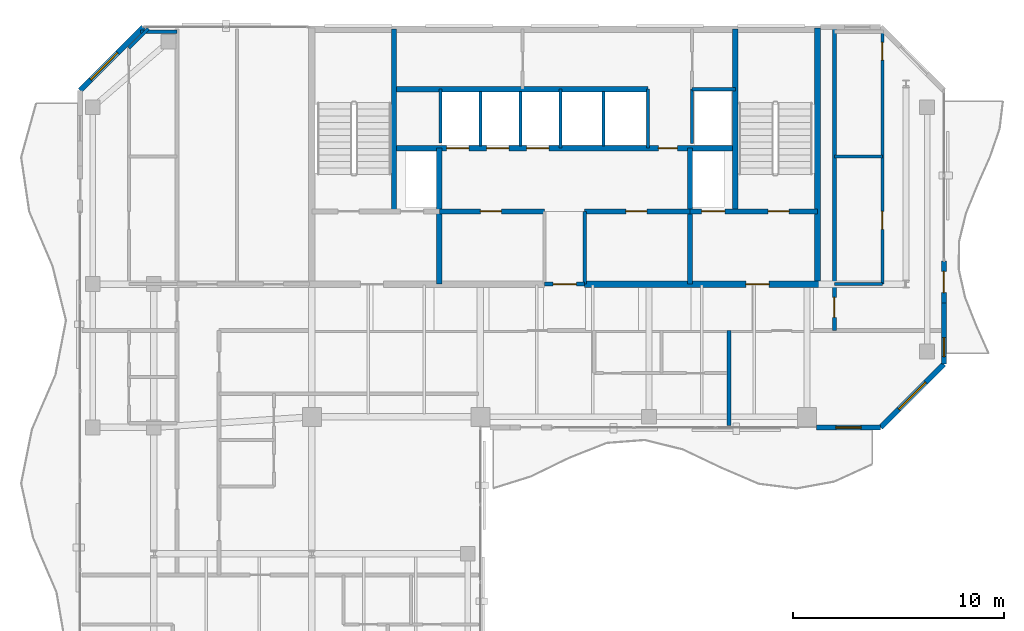
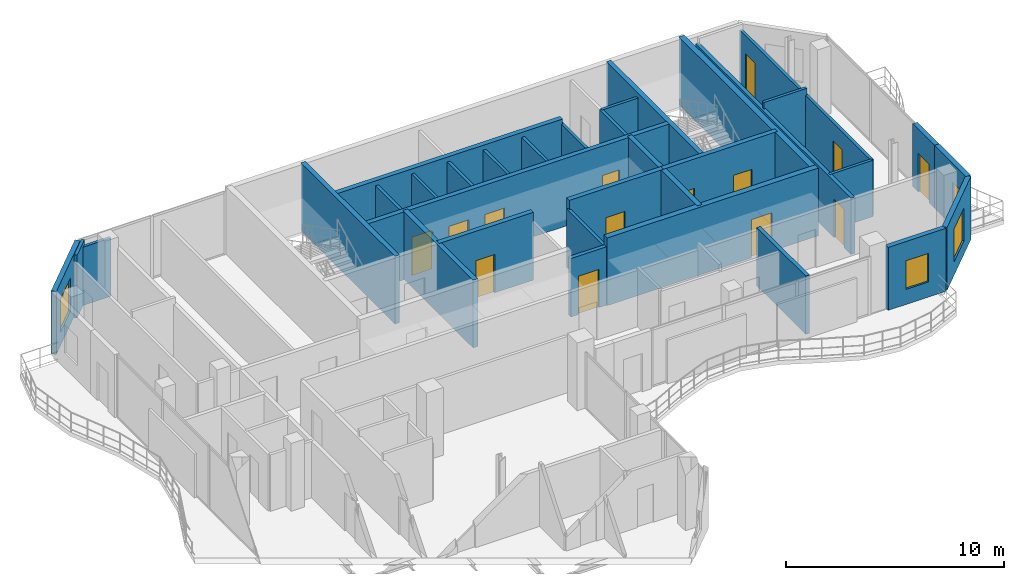
# One storey, part 19 of 23: 33 walls, 14 doors, 4 windows, 18 openings.
"""IFC4 building model written with IfcOpenShell, lengths in metres."""

import ifcopenshell
import ifcopenshell.guid

model = None  # the IFC model being written
_history = None  # IfcOwnerHistory: only IFC2X3 demands one
_inside = {}  # id of a spatial element -> (the spatial element, [elements in it])
_under = {}  # id of a project, library or spatial element -> (it, [spatial elements below it])
_declared = {}  # id of a project -> (the project, [libraries it declares])
_typed = {}  # id of a type object -> (the type object, [elements of that type])
_made_of = {}  # id of a material, layer set ... -> (it, [elements and type objects made of it])


def new_model(schema):
    """Start an empty IFC model of exactly this schema.

    Asked for "IFC4X3", IfcOpenShell would pick the latest addendum, in which some entities
    have other attributes; the version numbers below select the first issue.
    IFC2X3 requires an IfcOwnerHistory on every rooted entity: one is made here for all.
    """
    global model, _history
    if schema == "IFC4X3":
        model = ifcopenshell.file(schema_version=(4, 3, 0, 0))
    else:
        model = ifcopenshell.file(schema=schema)
    _inside.clear()
    _under.clear()
    _declared.clear()
    _typed.clear()
    _made_of.clear()
    _history = None
    if model.schema == "IFC2X3":
        org = make("IfcOrganization", Name="unknown")
        user = make(
            "IfcPersonAndOrganization",
            ThePerson=make("IfcPerson", FamilyName="unknown"),
            TheOrganization=org,
        )
        app = make(
            "IfcApplication",
            ApplicationDeveloper=org,
            Version="unknown",
            ApplicationFullName="unknown",
            ApplicationIdentifier="unknown",
        )
        _history = make(
            "IfcOwnerHistory",
            OwningUser=user,
            OwningApplication=app,
            ChangeAction="ADDED",
            CreationDate=0,
        )
    return model


def make(cls, **values):
    """One entity of the class cls with the attributes given. An attribute that is None is left unset."""
    return model.create_entity(
        cls, **{name: value for name, value in values.items() if value is not None}
    )


def rooted(cls, **values):
    """An entity with a GlobalId (a new one), such as an element, a storey or a relation."""
    return make(cls, GlobalId=ifcopenshell.guid.new(), OwnerHistory=_history, **values)


def si_unit(unit_type, name, prefix=None):
    """IfcSIUnit, for example si_unit("LENGTHUNIT", "METRE", prefix="MILLI")."""
    return make("IfcSIUnit", UnitType=unit_type, Prefix=prefix, Name=name)


def assignment(units):
    """IfcUnitAssignment: the units of a project."""
    return None if units is None else make("IfcUnitAssignment", Units=units)


def point(xyz):
    """IfcCartesianPoint."""
    return None if xyz is None else make("IfcCartesianPoint", Coordinates=xyz)


def direction(xyz):
    """IfcDirection."""
    return None if xyz is None else make("IfcDirection", DirectionRatios=xyz)


def frame(location, z_axis=None, x_axis=None):
    """IfcAxis2Placement3D, a coordinate frame: its origin and axes. An axis left out is left unset."""
    return make(
        "IfcAxis2Placement3D",
        Location=point(location),
        Axis=direction(z_axis),
        RefDirection=direction(x_axis),
    )


def frame_2d(location, x_axis=None):
    """IfcAxis2Placement2D, a coordinate frame in the plane: its origin and x axis."""
    return make(
        "IfcAxis2Placement2D", Location=point(location), RefDirection=direction(x_axis)
    )


def origin():
    """The frame at (0, 0, 0) with its axes left unset."""
    return frame((0.0, 0.0, 0.0))


def place(relative_to, where):
    """IfcLocalPlacement: puts the frame where relative to a parent placement (None: the world)."""
    return make(
        "IfcLocalPlacement", PlacementRelTo=relative_to, RelativePlacement=where
    )


def context(
    kind, dimensions, precision=None, world=None, true_north=None, identifier=None
):
    """IfcGeometricRepresentationContext, for example the 3D "Model" context."""
    return make(
        "IfcGeometricRepresentationContext",
        ContextIdentifier=identifier,
        ContextType=kind,
        CoordinateSpaceDimension=dimensions,
        Precision=precision,
        WorldCoordinateSystem=world,
        TrueNorth=true_north,
    )


def subcontext(parent, identifier, kind, view, scale=None):
    """IfcGeometricRepresentationSubContext, for example "Body" below "Model"."""
    return make(
        "IfcGeometricRepresentationSubContext",
        ContextIdentifier=identifier,
        ContextType=kind,
        ParentContext=parent,
        TargetScale=scale,
        TargetView=view,
    )


def project(units=None, contexts=None):
    """IfcProject with its units and contexts."""
    return rooted(
        "IfcProject",
        Name="project",
        RepresentationContexts=contexts,
        UnitsInContext=assignment(units),
    )


def spatial(cls, under=None, at=None, **own):
    """A site, building, storey or space (cls), placed at a placement, below another one or the project."""
    s = rooted(cls, ObjectPlacement=at, **own)
    if under is not None:
        _under.setdefault(under.id(), (under, []))[1].append(s)
    return s


def profile(cls, at=None, kind="AREA", **sizes):
    """A parametric profile (cls). Its sizes go by their IFC names, for example OverallWidth=200.0."""
    return make(cls, ProfileType=kind, Position=at, **sizes)


def rectangle(**sizes):
    """IfcRectangleProfileDef."""
    return profile("IfcRectangleProfileDef", **sizes)


def extrude(swept, where, along, depth):
    """IfcExtrudedAreaSolid: the profile swept, set in the frame where, extruded along a direction by depth."""
    return make(
        "IfcExtrudedAreaSolid",
        SweptArea=swept,
        Position=where,
        ExtrudedDirection=direction(along),
        Depth=depth,
    )


def shape(context_of_items, identifier, shape_type, items):
    """IfcShapeRepresentation: the items that make up one representation, for example the "Body"."""
    return make(
        "IfcShapeRepresentation",
        ContextOfItems=context_of_items,
        RepresentationIdentifier=identifier,
        RepresentationType=shape_type,
        Items=items,
    )


def material(Name=None, Category=None):
    """IfcMaterial."""
    return make("IfcMaterial", Name=Name, Category=Category)


def layer(
    of_material, thickness, ventilated=None, Name=None, Category=None, Priority=None
):
    """IfcMaterialLayer: one layer of a wall or slab, of a material (None: an air gap)."""
    return make(
        "IfcMaterialLayer",
        Material=of_material,
        LayerThickness=thickness,
        IsVentilated=ventilated,
        Name=Name,
        Category=Category,
        Priority=Priority,
    )


def layer_set(layers, Name=None):
    """IfcMaterialLayerSet."""
    return make("IfcMaterialLayerSet", MaterialLayers=layers, LayerSetName=Name)


def made_of(thing, what):
    """Note that an element or type object is made of a material, layer set ...; save() writes the relation."""
    if what is not None:
        _made_of.setdefault(what.id(), (what, []))[1].append(thing)
    return thing


def type_object(cls, material=None, **own):
    """A type object (cls), such as IfcWallType, which elements share."""
    return made_of(rooted(cls, **own), material)


def element(
    cls,
    number,
    at=None,
    inside=None,
    cuts=None,
    type_object=None,
    material=None,
    context=None,
    identifier="Body",
    shape_type=None,
    held_by="IfcProductDefinitionShape",
    body=None,
    shapes=None,
    **own,
):
    """One element of the class cls, such as IfcWall. Its Tag is "e" and its number.

    at: its placement. inside: the storey or other place that contains it. cuts: it is an
    opening in that element (IfcRelVoidsElement). A single representation is given by context,
    identifier, shape_type and body (its items); several are given by shapes. held_by: the class
    of the entity that holds the representations. save() writes the other relations.
    """
    e = rooted(cls, Tag="e%d" % number, ObjectPlacement=at, **own)
    if body is not None:
        shapes = [shape(context, identifier, shape_type, body)]
    if shapes is not None:
        e.Representation = make(held_by, Representations=shapes)
    if inside is not None:
        _inside.setdefault(inside.id(), (inside, []))[1].append(e)
    if cuts is not None:
        rooted(
            "IfcRelVoidsElement", RelatingBuildingElement=cuts, RelatedOpeningElement=e
        )
    if type_object is not None:
        _typed.setdefault(type_object.id(), (type_object, []))[1].append(e)
    return made_of(e, material)


def fill(opening, filler):
    """IfcRelFillsElement: the door or window that sits in an opening."""
    return rooted(
        "IfcRelFillsElement",
        RelatingOpeningElement=opening,
        RelatedBuildingElement=filler,
    )


def aggregate(whole, parts):
    """IfcRelAggregates: a whole, such as a stair, and the parts it consists of."""
    return rooted("IfcRelAggregates", RelatingObject=whole, RelatedObjects=parts)


def save(model, path):
    """Write the relations noted so far, then the file.

    IfcRelAggregates (storeys below a building ...), IfcRelContainedInSpatialStructure (elements
    in a storey), IfcRelDefinesByType, IfcRelAssociatesMaterial and IfcRelDeclares: one each for
    every whole, place, type object, material and project.
    """
    for whole, parts in _under.values():
        aggregate(whole, parts)
    for where, things in _inside.values():
        rooted(
            "IfcRelContainedInSpatialStructure",
            RelatedElements=things,
            RelatingStructure=where,
        )
    for kind, things in _typed.values():
        rooted("IfcRelDefinesByType", RelatedObjects=things, RelatingType=kind)
    for what, things in _made_of.values():
        rooted("IfcRelAssociatesMaterial", RelatedObjects=things, RelatingMaterial=what)
    for by, libraries in _declared.values():
        rooted("IfcRelDeclares", RelatingContext=by, RelatedDefinitions=libraries)
    model.write(path)


model = new_model("IFC4")

# Units and contexts
model_context = context("Model", 3, precision=1e-05, world=origin(), true_north=direction((0.0, 1.0)))
body_context = subcontext(model_context, "Body", "Model", "MODEL_VIEW")
ifc_project = project(units=[si_unit("LENGTHUNIT", "METRE"), si_unit("AREAUNIT", "SQUARE_METRE"), si_unit("VOLUMEUNIT", "CUBIC_METRE"), si_unit("PLANEANGLEUNIT", "RADIAN"), si_unit("MASSUNIT", "GRAM", prefix="KILO")], contexts=[model_context])

# Site, building, storey
site_placement = place(None, origin())
site = spatial("IfcSite", under=ifc_project, at=site_placement, CompositionType="ELEMENT")
building_placement = place(site_placement, origin())
building = spatial("IfcBuilding", under=site, at=building_placement, Name="Catumbela Crestline Tower", CompositionType="ELEMENT")
storey_placement = place(building_placement, frame((0.0, 0.0, 248.8)))
storey = spatial("IfcBuildingStorey", under=building, at=storey_placement, Name="L64", CompositionType="ELEMENT", Elevation=248.8)

# Walls
ifc_material_1 = material(Name="Concrete C50/60", Category="concrete")
ifc_layer_1 = layer(ifc_material_1, 0.25, Name="Concrete C50/60")
ifc_layer_set_1 = layer_set([ifc_layer_1], Name="Concrete C50/60")
wall_type_1 = type_object("IfcWallType", Name="CW-250D", PredefinedType="SHEAR", material=ifc_layer_set_1)
for number, where, z_axis, x_axis, name in (
    (1, (19.9, 34.25, 0.0), (0.0, 0.0, 1.0), (0.0, 1.0, 0.0), "L64 Structural Core Shear Wall WWEB"),
    (2, (36.1, 34.25, 0.0), (0.0, 0.0, 1.0), (0.0, 1.0, 0.0), "L64 Structural Core Shear Wall EWEB"),
):
    element("IfcWall", number, at=place(storey_placement, frame(where, z_axis=z_axis, x_axis=x_axis)), inside=storey, type_object=wall_type_1, Name=name, PredefinedType="SHEAR", context=body_context, shape_type="SweptSolid", body=[
        extrude(rectangle(XDim=8.65, YDim=0.25, at=frame_2d((4.325, 0.0))), origin(), (0.0, 0.0, 1.0), 3.8),
    ])
for number, where, z_axis, x_axis, name in (
    (3, (22.05, 30.8, 0.0), (0.0, 0.0, 1.0), (0.0, 1.0, 0.0), "L64 Structural Core Shear Wall FFW"),
    (4, (33.95, 30.8, 0.0), (0.0, 0.0, 1.0), (0.0, 1.0, 0.0), "L64 Structural Core Shear Wall FFE"),
):
    element("IfcWall", number, at=place(storey_placement, frame(where, z_axis=z_axis, x_axis=x_axis)), inside=storey, type_object=wall_type_1, Name=name, PredefinedType="SHEAR", context=body_context, shape_type="SweptSolid", body=[
        extrude(rectangle(XDim=6.45, YDim=0.25, at=frame_2d((3.225, 0.0))), origin(), (0.0, 0.0, 1.0), 3.8),
    ])

# Wall, openings, doors
wall_1_placement = place(storey_placement, frame((33.95, 34.25, 0.0), z_axis=(0.0, 0.0, 1.0), x_axis=(1.0, 0.0, 0.0)))
wall_1 = element("IfcWall", 5, at=wall_1_placement, inside=storey, type_object=wall_type_1, Name="L64 Structural Core Shear Wall ST2S", PredefinedType="SHEAR", context=body_context, shape_type="SweptSolid", body=[
    extrude(rectangle(XDim=6.05, YDim=0.25, at=frame_2d((3.025, 0.0))), origin(), (0.0, 0.0, 1.0), 3.8),
])
opening_1_placement = place(wall_1_placement, frame((3.7, 0.0, 0.0)))
opening_1 = element("IfcOpeningElement", 6, at=opening_1_placement, cuts=wall_1, Name="Opening DF9-100", PredefinedType="OPENING", context=body_context, shape_type="SweptSolid", body=[
    extrude(rectangle(XDim=1.0, YDim=2.15, at=frame_2d((0.5, 1.075))), frame((0.0, 0.135, 0.0), z_axis=(0.0, -1.0, 0.0), x_axis=(1.0, 0.0, 0.0)), (0.0, 0.0, 1.0), 0.27),
])
opening_2_placement = place(wall_1_placement, frame((0.55, 0.0, 0.0)))
opening_2 = element("IfcOpeningElement", 7, at=opening_2_placement, cuts=wall_1, Name="Opening LD-110", PredefinedType="OPENING", context=body_context, shape_type="SweptSolid", body=[
    extrude(rectangle(XDim=1.1, YDim=2.15, at=frame_2d((0.55, 1.075))), frame((0.0, 0.135, 0.0), z_axis=(0.0, -1.0, 0.0), x_axis=(1.0, 0.0, 0.0)), (0.0, 0.0, 1.0), 0.27),
])
ifc_material_2 = material(Name="Stainless steel EN 1.4401", Category="steel")
door_type_1 = type_object("IfcDoorType", Name="DF9-100", OperationType="NOTDEFINED", PredefinedType="DOOR", material=ifc_material_2)
door_1_placement = place(opening_1_placement, origin())
door_1 = element("IfcDoor", 8, at=door_1_placement, inside=storey, type_object=door_type_1, Name="L64 Interior Door DR-L64-ST02", OperationType="SINGLE_SWING_RIGHT", OverallHeight=2.15, OverallWidth=1.0, PredefinedType="DOOR", context=body_context, shape_type="SweptSolid", body=[
    extrude(rectangle(XDim=1.0, YDim=2.15, at=frame_2d((0.5, 1.075))), frame((0.0, 0.025, 0.0), z_axis=(0.0, -1.0, 0.0), x_axis=(1.0, 0.0, 0.0)), (0.0, 0.0, 1.0), 0.05),
])
fill(opening_1, door_1)
door_type_2 = type_object("IfcDoorType", Name="LD-110", OperationType="NOTDEFINED", PredefinedType="DOOR", material=ifc_material_2)
door_2_placement = place(opening_2_placement, origin())
door_2 = element("IfcDoor", 9, at=door_2_placement, inside=storey, type_object=door_type_2, Name="L64 Lift Landing Sliding Door FL-02", OperationType="DOUBLE_DOOR_SLIDING", OverallHeight=2.15, OverallWidth=1.1, PredefinedType="DOOR", context=body_context, shape_type="SweptSolid", body=[
    extrude(rectangle(XDim=1.1, YDim=2.15, at=frame_2d((0.55, 1.075))), frame((0.0, 0.025, 0.0), z_axis=(0.0, -1.0, 0.0), x_axis=(1.0, 0.0, 0.0)), (0.0, 0.0, 1.0), 0.05),
])
fill(opening_2, door_2)

# Wall, opening, door
wall_2_placement = place(storey_placement, frame((22.05, 34.25, 0.0), z_axis=(0.0, 0.0, 1.0), x_axis=(1.0, 0.0, 0.0)))
wall_2 = element("IfcWall", 10, at=wall_2_placement, inside=storey, type_object=wall_type_1, Name="L64 Structural Core Shear Wall LIFTS-W", PredefinedType="SHEAR", context=body_context, shape_type="SweptSolid", body=[
    extrude(rectangle(XDim=5.0, YDim=0.25, at=frame_2d((2.5, 0.0))), origin(), (0.0, 0.0, 1.0), 3.8),
])
opening_3_placement = place(wall_2_placement, frame((1.95, 0.0, 0.0)))
opening_3 = element("IfcOpeningElement", 11, at=opening_3_placement, cuts=wall_2, Name="Opening DF9-100", PredefinedType="OPENING", context=body_context, shape_type="SweptSolid", body=[
    extrude(rectangle(XDim=1.0, YDim=2.15, at=frame_2d((0.5, 1.075))), frame((0.0, 0.135, 0.0), z_axis=(0.0, -1.0, 0.0), x_axis=(1.0, 0.0, 0.0)), (0.0, 0.0, 1.0), 0.27),
])
door_3_placement = place(opening_3_placement, origin())
door_3 = element("IfcDoor", 12, at=door_3_placement, inside=storey, type_object=door_type_1, Name="L64 Interior Door DR-L64-RECL1", OperationType="SINGLE_SWING_LEFT", OverallHeight=2.15, OverallWidth=1.0, PredefinedType="DOOR", context=body_context, shape_type="SweptSolid", body=[
    extrude(rectangle(XDim=1.0, YDim=2.15, at=frame_2d((0.5, 1.075))), frame((0.0, 0.025, 0.0), z_axis=(0.0, -1.0, 0.0), x_axis=(1.0, 0.0, 0.0)), (0.0, 0.0, 1.0), 0.05),
])
fill(opening_3, door_3)

wall_3_placement = place(storey_placement, frame((28.95, 34.25, 0.0), z_axis=(0.0, 0.0, 1.0), x_axis=(1.0, 0.0, 0.0)))
wall_3 = element("IfcWall", 13, at=wall_3_placement, inside=storey, type_object=wall_type_1, Name="L64 Structural Core Shear Wall LIFTS-E", PredefinedType="SHEAR", context=body_context, shape_type="SweptSolid", body=[
    extrude(rectangle(XDim=5.0, YDim=0.25, at=frame_2d((2.5, 0.0))), origin(), (0.0, 0.0, 1.0), 3.8),
])
opening_4_placement = place(wall_3_placement, frame((1.95, 0.0, 0.0)))
opening_4 = element("IfcOpeningElement", 14, at=opening_4_placement, cuts=wall_3, Name="Opening DF9-100", PredefinedType="OPENING", context=body_context, shape_type="SweptSolid", body=[
    extrude(rectangle(XDim=1.0, YDim=2.15, at=frame_2d((0.5, 1.075))), frame((0.0, 0.135, 0.0), z_axis=(0.0, -1.0, 0.0), x_axis=(1.0, 0.0, 0.0)), (0.0, 0.0, 1.0), 0.27),
])
door_4_placement = place(opening_4_placement, origin())
door_4 = element("IfcDoor", 15, at=door_4_placement, inside=storey, type_object=door_type_1, Name="L64 Interior Door DR-L64-RECL2", OperationType="SINGLE_SWING_RIGHT", OverallHeight=2.15, OverallWidth=1.0, PredefinedType="DOOR", context=body_context, shape_type="SweptSolid", body=[
    extrude(rectangle(XDim=1.0, YDim=2.15, at=frame_2d((0.5, 1.075))), frame((0.0, 0.025, 0.0), z_axis=(0.0, -1.0, 0.0), x_axis=(1.0, 0.0, 0.0)), (0.0, 0.0, 1.0), 0.05),
])
fill(opening_4, door_4)

# Wall, openings, doors
wall_4_placement = place(storey_placement, frame((19.9, 37.25, 0.0), z_axis=(0.0, 0.0, 1.0), x_axis=(1.0, 0.0, 0.0)))
wall_4 = element("IfcWall", 16, at=wall_4_placement, inside=storey, type_object=wall_type_1, Name="L64 Structural Core Shear Wall LIFTN", PredefinedType="SHEAR", context=body_context, shape_type="SweptSolid", body=[
    extrude(rectangle(XDim=16.2, YDim=0.25, at=frame_2d((8.1, 0.0))), origin(), (0.0, 0.0, 1.0), 3.8),
])
opening_5_placement = place(wall_4_placement, frame((12.55, 0.0, 0.0)))
opening_5 = element("IfcOpeningElement", 17, at=opening_5_placement, cuts=wall_4, Name="Opening DF9-090", PredefinedType="OPENING", context=body_context, shape_type="SweptSolid", body=[
    extrude(rectangle(XDim=0.9, YDim=2.15, at=frame_2d((0.45, 1.075))), frame((0.0, 0.135, 0.0), z_axis=(0.0, -1.0, 0.0), x_axis=(1.0, 0.0, 0.0)), (0.0, 0.0, 1.0), 0.27),
])
opening_6_placement = place(wall_4_placement, frame((2.5, 0.0, 0.0)))
opening_6 = element("IfcOpeningElement", 18, at=opening_6_placement, cuts=wall_4, Name="Opening LD-105", PredefinedType="OPENING", context=body_context, shape_type="SweptSolid", body=[
    extrude(rectangle(XDim=1.05, YDim=2.15, at=frame_2d((0.525, 1.075))), frame((0.0, 0.135, 0.0), z_axis=(0.0, -1.0, 0.0), x_axis=(1.0, 0.0, 0.0)), (0.0, 0.0, 1.0), 0.27),
])
opening_7_placement = place(wall_4_placement, frame((4.4, 0.0, 0.0)))
opening_7 = element("IfcOpeningElement", 19, at=opening_7_placement, cuts=wall_4, Name="Opening LD-105", PredefinedType="OPENING", context=body_context, shape_type="SweptSolid", body=[
    extrude(rectangle(XDim=1.05, YDim=2.15, at=frame_2d((0.525, 1.075))), frame((0.0, 0.135, 0.0), z_axis=(0.0, -1.0, 0.0), x_axis=(1.0, 0.0, 0.0)), (0.0, 0.0, 1.0), 0.27),
])
opening_8_placement = place(wall_4_placement, frame((6.3, 0.0, 0.0)))
opening_8 = element("IfcOpeningElement", 20, at=opening_8_placement, cuts=wall_4, Name="Opening LD-105", PredefinedType="OPENING", context=body_context, shape_type="SweptSolid", body=[
    extrude(rectangle(XDim=1.05, YDim=2.15, at=frame_2d((0.525, 1.075))), frame((0.0, 0.135, 0.0), z_axis=(0.0, -1.0, 0.0), x_axis=(1.0, 0.0, 0.0)), (0.0, 0.0, 1.0), 0.27),
])
door_type_3 = type_object("IfcDoorType", Name="DF9-090", OperationType="NOTDEFINED", PredefinedType="DOOR", material=ifc_material_2)
door_5_placement = place(opening_5_placement, origin())
door_5 = element("IfcDoor", 21, at=door_5_placement, inside=storey, type_object=door_type_3, Name="L64 Interior Door DR-L64-CPAS1", OperationType="SINGLE_SWING_LEFT", OverallHeight=2.15, OverallWidth=0.9, PredefinedType="DOOR", context=body_context, shape_type="SweptSolid", body=[
    extrude(rectangle(XDim=0.9, YDim=2.15, at=frame_2d((0.45, 1.075))), frame((0.0, 0.025, 0.0), z_axis=(0.0, -1.0, 0.0), x_axis=(1.0, 0.0, 0.0)), (0.0, 0.0, 1.0), 0.05),
])
fill(opening_5, door_5)
door_type_4 = type_object("IfcDoorType", Name="LD-105", OperationType="NOTDEFINED", PredefinedType="DOOR", material=ifc_material_2)
door_6_placement = place(opening_6_placement, origin())
door_6 = element("IfcDoor", 22, at=door_6_placement, inside=storey, type_object=door_type_4, Name="L64 Lift Landing Sliding Door PL-H1", OperationType="DOUBLE_DOOR_SLIDING", OverallHeight=2.15, OverallWidth=1.05, PredefinedType="DOOR", context=body_context, shape_type="SweptSolid", body=[
    extrude(rectangle(XDim=1.05, YDim=2.15, at=frame_2d((0.525, 1.075))), frame((0.0, 0.025, 0.0), z_axis=(0.0, -1.0, 0.0), x_axis=(1.0, 0.0, 0.0)), (0.0, 0.0, 1.0), 0.05),
])
fill(opening_6, door_6)
door_7_placement = place(opening_7_placement, origin())
door_7 = element("IfcDoor", 23, at=door_7_placement, inside=storey, type_object=door_type_4, Name="L64 Lift Landing Sliding Door PL-H2", OperationType="DOUBLE_DOOR_SLIDING", OverallHeight=2.15, OverallWidth=1.05, PredefinedType="DOOR", context=body_context, shape_type="SweptSolid", body=[
    extrude(rectangle(XDim=1.05, YDim=2.15, at=frame_2d((0.525, 1.075))), frame((0.0, 0.025, 0.0), z_axis=(0.0, -1.0, 0.0), x_axis=(1.0, 0.0, 0.0)), (0.0, 0.0, 1.0), 0.05),
])
fill(opening_7, door_7)
door_8_placement = place(opening_8_placement, origin())
door_8 = element("IfcDoor", 24, at=door_8_placement, inside=storey, type_object=door_type_4, Name="L64 Lift Landing Sliding Door PL-H3", OperationType="DOUBLE_DOOR_SLIDING", OverallHeight=2.15, OverallWidth=1.05, PredefinedType="DOOR", context=body_context, shape_type="SweptSolid", body=[
    extrude(rectangle(XDim=1.05, YDim=2.15, at=frame_2d((0.525, 1.075))), frame((0.0, 0.025, 0.0), z_axis=(0.0, -1.0, 0.0), x_axis=(1.0, 0.0, 0.0)), (0.0, 0.0, 1.0), 0.05),
])
fill(opening_8, door_8)

# Walls
wall_5_placement = place(storey_placement, frame((19.9, 40.05, 0.0), z_axis=(0.0, 0.0, 1.0), x_axis=(1.0, 0.0, 0.0)))
element("IfcWall", 25, at=wall_5_placement, inside=storey, type_object=wall_type_1, Name="L64 Structural Core Shear Wall COREN", PredefinedType="SHEAR", context=body_context, shape_type="SweptSolid", body=[
    extrude(rectangle(XDim=12.05, YDim=0.25, at=frame_2d((6.025, 0.0))), origin(), (0.0, 0.0, 1.0), 3.8),
])
ifc_material_3 = material(Name="Concrete C45/55", Category="concrete")
ifc_layer_2 = layer(ifc_material_3, 0.3, Name="Concrete C45/55")
ifc_layer_set_2 = layer_set([ifc_layer_2], Name="Concrete C45/55")
wall_type_2 = type_object("IfcWallType", Name="CW-300C", PredefinedType="SHEAR", material=ifc_layer_set_2)
wall_6_placement = place(storey_placement, frame((40.0, 30.65, 0.0), z_axis=(0.0, 0.0, 1.0), x_axis=(0.0, 1.0, 0.0)))
element("IfcWall", 26, at=wall_6_placement, inside=storey, type_object=wall_type_2, Name="L64 Structural Core Shear Wall E", PredefinedType="SHEAR", context=body_context, shape_type="SweptSolid", body=[
    extrude(rectangle(XDim=12.3, YDim=0.3, at=frame_2d((6.15, 0.0))), origin(), (0.0, 0.0, 1.0), 3.8),
])

# Wall, opening, door
wall_7_placement = place(storey_placement, frame((28.95, 30.8, 0.0), z_axis=(0.0, 0.0, 1.0), x_axis=(1.0, 0.0, 0.0)))
wall_7 = element("IfcWall", 27, at=wall_7_placement, inside=storey, type_object=wall_type_2, Name="L64 Structural Core Shear Wall SE", PredefinedType="SHEAR", context=body_context, shape_type="SweptSolid", body=[
    extrude(rectangle(XDim=11.2, YDim=0.3, at=frame_2d((5.6, 0.0))), origin(), (0.0, 0.0, 1.0), 3.8),
])
opening_9_placement = place(wall_7_placement, frame((7.65, 0.0, 0.0)))
opening_9 = element("IfcOpeningElement", 28, at=opening_9_placement, cuts=wall_7, Name="Opening DF9-110", PredefinedType="OPENING", context=body_context, shape_type="SweptSolid", body=[
    extrude(rectangle(XDim=1.1, YDim=2.15, at=frame_2d((0.55, 1.075))), frame((0.0, 0.16, 0.0), z_axis=(0.0, -1.0, 0.0), x_axis=(1.0, 0.0, 0.0)), (0.0, 0.0, 1.0), 0.32),
])
door_type_5 = type_object("IfcDoorType", Name="DF9-110", OperationType="NOTDEFINED", PredefinedType="DOOR", material=ifc_material_2)
door_9_placement = place(opening_9_placement, origin())
door_9 = element("IfcDoor", 29, at=door_9_placement, inside=storey, type_object=door_type_5, Name="L64 Interior Door DR-L64-FFE-S", OperationType="SINGLE_SWING_RIGHT", OverallHeight=2.15, OverallWidth=1.1, PredefinedType="DOOR", context=body_context, shape_type="SweptSolid", body=[
    extrude(rectangle(XDim=1.1, YDim=2.15, at=frame_2d((0.55, 1.075))), frame((0.0, 0.025, 0.0), z_axis=(0.0, -1.0, 0.0), x_axis=(1.0, 0.0, 0.0)), (0.0, 0.0, 1.0), 0.05),
])
fill(opening_9, door_9)

ifc_material_4 = material(Name="Acoustic gypsum and mineral-wool partition")
ifc_layer_3 = layer(ifc_material_4, 0.2, Name="Acoustic gypsum and mineral-wool partition")
ifc_layer_set_3 = layer_set([ifc_layer_3], Name="Acoustic gypsum and mineral-wool partition")
wall_type_3 = type_object("IfcWallType", Name="WC-200", PredefinedType="PARTITIONING", material=ifc_layer_set_3)
wall_8_placement = place(storey_placement, frame((27.05, 30.8, 0.0), z_axis=(0.0, 0.0, 1.0), x_axis=(1.0, 0.0, 0.0)))
wall_8 = element("IfcWall", 30, at=wall_8_placement, inside=storey, type_object=wall_type_3, Name="L64 Interior Partition PW-L64-CLOBS", PredefinedType="PARTITIONING", context=body_context, shape_type="SweptSolid", body=[
    extrude(rectangle(XDim=1.9, YDim=0.2, at=frame_2d((0.95, 0.0))), origin(), (0.0, 0.0, 1.0), 3.28),
])
opening_10_placement = place(wall_8_placement, frame((0.4, 0.0, 0.0)))
opening_10 = element("IfcOpeningElement", 31, at=opening_10_placement, cuts=wall_8, Name="Opening DF9-110", PredefinedType="OPENING", context=body_context, shape_type="SweptSolid", body=[
    extrude(rectangle(XDim=1.1, YDim=2.15, at=frame_2d((0.55, 1.075))), frame((0.0, 0.11, 0.0), z_axis=(0.0, -1.0, 0.0), x_axis=(1.0, 0.0, 0.0)), (0.0, 0.0, 1.0), 0.22),
])
door_10_placement = place(opening_10_placement, origin())
door_10 = element("IfcDoor", 32, at=door_10_placement, inside=storey, type_object=door_type_5, Name="L64 Interior Door DR-L64-CLOBS", OperationType="SINGLE_SWING_LEFT", OverallHeight=2.15, OverallWidth=1.1, PredefinedType="DOOR", context=body_context, shape_type="SweptSolid", body=[
    extrude(rectangle(XDim=1.1, YDim=2.15, at=frame_2d((0.55, 1.075))), frame((0.0, 0.025, 0.0), z_axis=(0.0, -1.0, 0.0), x_axis=(1.0, 0.0, 0.0)), (0.0, 0.0, 1.0), 0.05),
])
fill(opening_10, door_10)

wall_9_placement = place(storey_placement, frame((40.8, 28.6, 0.0), z_axis=(0.0, 0.0, 1.0), x_axis=(0.0, 1.0, 0.0)))
wall_9 = element("IfcWall", 33, at=wall_9_placement, inside=storey, type_object=wall_type_3, Name="L64 Interior Partition PW-L64-NE1-ENT", PredefinedType="PARTITIONING", context=body_context, shape_type="SweptSolid", body=[
    extrude(rectangle(XDim=14.3, YDim=0.2, at=frame_2d((7.15, 0.0))), origin(), (0.0, 0.0, 1.0), 3.16),
])
opening_11_placement = place(wall_9_placement, frame((0.625, 0.0, 0.0)))
opening_11 = element("IfcOpeningElement", 34, at=opening_11_placement, cuts=wall_9, Name="Opening DF6-095", PredefinedType="OPENING", context=body_context, shape_type="SweptSolid", body=[
    extrude(rectangle(XDim=0.95, YDim=2.15, at=frame_2d((0.475, 1.075))), frame((0.0, 0.11, 0.0), z_axis=(0.0, -1.0, 0.0), x_axis=(1.0, 0.0, 0.0)), (0.0, 0.0, 1.0), 0.22),
])
ifc_material_5 = material(Name="Aluminium alloy AW-6060-T66", Category="aluminium")
door_type_6 = type_object("IfcDoorType", Name="DF6-095", OperationType="NOTDEFINED", PredefinedType="DOOR", material=ifc_material_5)
door_11_placement = place(opening_11_placement, origin())
door_11 = element("IfcDoor", 35, at=door_11_placement, inside=storey, type_object=door_type_6, Name="L64 Interior Door DR-L64-NE1-ENT", OperationType="SINGLE_SWING_LEFT", OverallHeight=2.15, OverallWidth=0.95, PredefinedType="DOOR", context=body_context, shape_type="SweptSolid", body=[
    extrude(rectangle(XDim=0.95, YDim=2.15, at=frame_2d((0.475, 1.075))), frame((0.0, 0.025, 0.0), z_axis=(0.0, -1.0, 0.0), x_axis=(1.0, 0.0, 0.0)), (0.0, 0.0, 1.0), 0.05),
])
fill(opening_11, door_11)

# Wall, opening, window
ifc_material_6 = material(Name="Angolan grey-ochre granite", Category="masonry")
ifc_layer_4 = layer(ifc_material_6, 0.25, Name="Angolan grey-ochre granite")
ifc_layer_set_4 = layer_set([ifc_layer_4], Name="Angolan grey-ochre granite")
wall_type_4 = type_object("IfcWallType", Name="WE-250", PredefinedType="STANDARD", material=ifc_layer_set_4)
wall_10_placement = place(storey_placement, frame((39.95, 24.0, 0.0), z_axis=(0.0, 0.0, 1.0), x_axis=(1.0, 0.0, 0.0)))
wall_10 = element("IfcWall", 36, at=wall_10_placement, inside=storey, type_object=wall_type_4, Name="L64 Granite Punched Window Wall 3-3", PredefinedType="STANDARD", context=body_context, shape_type="SweptSolid", body=[
    extrude(rectangle(XDim=3.05, YDim=0.25, at=frame_2d((1.525, 0.0))), origin(), (0.0, 0.0, 1.0), 3.53),
])
opening_12_placement = place(wall_10_placement, frame((0.925, 0.0, 0.85)))
opening_12 = element("IfcOpeningElement", 37, at=opening_12_placement, cuts=wall_10, Name="Opening WN-02", PredefinedType="OPENING", context=body_context, shape_type="SweptSolid", body=[
    extrude(rectangle(XDim=1.2, YDim=1.6, at=frame_2d((0.6, 0.8))), frame((0.0, 0.135, 0.0), z_axis=(0.0, -1.0, 0.0), x_axis=(1.0, 0.0, 0.0)), (0.0, 0.0, 1.0), 0.27),
])
ifc_material_7 = material(Name="Low-E laminated solar-control double glazing", Category="glass")
window_type_1 = type_object("IfcWindowType", Name="WO-1200", PartitioningType="SINGLE_PANEL", PredefinedType="WINDOW", material=ifc_material_7)
window_1_placement = place(opening_12_placement, origin())
window_1 = element("IfcWindow", 38, at=window_1_placement, inside=storey, type_object=window_type_1, Name="L64 Facade Vision Window 482", OverallHeight=1.6, OverallWidth=1.2, PartitioningType="SINGLE_PANEL", PredefinedType="WINDOW", context=body_context, shape_type="SweptSolid", body=[
    extrude(rectangle(XDim=1.2, YDim=1.6, at=frame_2d((0.6, 0.8))), frame((0.0, 0.03, 0.0), z_axis=(0.0, -1.0, 0.0), x_axis=(1.0, 0.0, 0.0)), (0.0, 0.0, 1.0), 0.06),
])
fill(opening_12, window_1)

wall_11_placement = place(storey_placement, frame((43.0, 24.0, 0.0), z_axis=(0.0, 0.0, 1.0), x_axis=(0.707106781187, 0.707106781187, 0.0)))
wall_11 = element("IfcWall", 39, at=wall_11_placement, inside=storey, type_object=wall_type_4, Name="L64 Granite Punched Window Wall 4-1", PredefinedType="STANDARD", context=body_context, shape_type="SweptSolid", body=[
    extrude(rectangle(XDim=4.2426, YDim=0.25, at=frame_2d((2.1213, 0.0))), origin(), (0.0, 0.0, 1.0), 3.53),
])
opening_13_placement = place(wall_11_placement, frame((1.2213, 0.0, 0.75)))
opening_13 = element("IfcOpeningElement", 40, at=opening_13_placement, cuts=wall_11, Name="Opening WN-01", PredefinedType="OPENING", context=body_context, shape_type="SweptSolid", body=[
    extrude(rectangle(XDim=1.8, YDim=1.85, at=frame_2d((0.9, 0.925))), frame((0.0, 0.135, 0.0), z_axis=(0.0, -1.0, 0.0), x_axis=(1.0, 0.0, 0.0)), (0.0, 0.0, 1.0), 0.27),
])
window_type_2 = type_object("IfcWindowType", Name="WF-1800", PartitioningType="SINGLE_PANEL", PredefinedType="WINDOW", material=ifc_material_7)
window_2_placement = place(opening_13_placement, origin())
window_2 = element("IfcWindow", 41, at=window_2_placement, inside=storey, type_object=window_type_2, Name="L64 Facade Vision Window 483", OverallHeight=1.85, OverallWidth=1.8, PartitioningType="SINGLE_PANEL", PredefinedType="WINDOW", context=body_context, shape_type="SweptSolid", body=[
    extrude(rectangle(XDim=1.8, YDim=1.85, at=frame_2d((0.9, 0.925))), frame((0.0, 0.03, 0.0), z_axis=(0.0, -1.0, 0.0), x_axis=(1.0, 0.0, 0.0)), (0.0, 0.0, 1.0), 0.06),
])
fill(opening_13, window_2)

# Wall, opening, door
wall_12_placement = place(storey_placement, frame((46.0, 29.9, 0.0), z_axis=(0.0, 0.0, 1.0), x_axis=(0.0, 1.0, 0.0)))
wall_12 = element("IfcWall", 42, at=wall_12_placement, inside=storey, type_object=wall_type_4, Name="L64 Exterior Threshold Portal Wall DR-L64-WBAL-2", PredefinedType="STANDARD", context=body_context, shape_type="SweptSolid", body=[
    extrude(rectangle(XDim=2.0, YDim=0.25, at=frame_2d((1.0, 0.0))), origin(), (0.0, 0.0, 1.0), 3.53),
])
opening_14_placement = place(wall_12_placement, frame((0.5, 0.0, 0.0)))
opening_14 = element("IfcOpeningElement", 43, at=opening_14_placement, cuts=wall_12, Name="Opening DB-L64-2", PredefinedType="OPENING", context=body_context, shape_type="SweptSolid", body=[
    extrude(rectangle(XDim=1.0, YDim=2.15, at=frame_2d((0.5, 1.075))), frame((0.0, 0.135, 0.0), z_axis=(0.0, -1.0, 0.0), x_axis=(1.0, 0.0, 0.0)), (0.0, 0.0, 1.0), 0.27),
])
door_type_7 = type_object("IfcDoorType", Name="DB-1000", OperationType="NOTDEFINED", PredefinedType="DOOR", material=ifc_material_5)
door_12_placement = place(opening_14_placement, origin())
door_12 = element("IfcDoor", 44, at=door_12_placement, inside=storey, type_object=door_type_7, Name="L64 Wave Balcony Terrace Door 2", OperationType="SINGLE_SWING_LEFT", OverallHeight=2.15, OverallWidth=1.0, PredefinedType="DOOR", context=body_context, shape_type="SweptSolid", body=[
    extrude(rectangle(XDim=1.0, YDim=2.15, at=frame_2d((0.5, 1.075))), frame((0.0, 0.025, 0.0), z_axis=(0.0, -1.0, 0.0), x_axis=(1.0, 0.0, 0.0)), (0.0, 0.0, 1.0), 0.05),
])
fill(opening_14, door_12)

# Wall, opening, window
wall_13_placement = place(storey_placement, frame((46.0, 27.0, 0.0), z_axis=(0.0, 0.0, 1.0), x_axis=(0.0, 1.0, 0.0)))
wall_13 = element("IfcWall", 45, at=wall_13_placement, inside=storey, type_object=wall_type_4, Name="L64 Granite Punched Window Wall 5-1", PredefinedType="STANDARD", context=body_context, shape_type="SweptSolid", body=[
    extrude(rectangle(XDim=2.9, YDim=0.25, at=frame_2d((1.45, 0.0))), origin(), (0.0, 0.0, 1.0), 3.53),
])
opening_15_placement = place(wall_13_placement, frame((0.36, 0.0, 0.9)))
opening_15 = element("IfcOpeningElement", 46, at=opening_15_placement, cuts=wall_13, Name="Opening WN-03", PredefinedType="OPENING", context=body_context, shape_type="SweptSolid", body=[
    extrude(rectangle(XDim=0.9, YDim=1.55, at=frame_2d((0.45, 0.775))), frame((0.0, 0.135, 0.0), z_axis=(0.0, -1.0, 0.0), x_axis=(1.0, 0.0, 0.0)), (0.0, 0.0, 1.0), 0.27),
])
window_type_3 = type_object("IfcWindowType", Name="WO-0900", PartitioningType="SINGLE_PANEL", PredefinedType="WINDOW", material=ifc_material_7)
window_3_placement = place(opening_15_placement, origin())
window_3 = element("IfcWindow", 47, at=window_3_placement, inside=storey, type_object=window_type_3, Name="L64 Facade Vision Window 484", OverallHeight=1.55, OverallWidth=0.9, PartitioningType="SINGLE_PANEL", PredefinedType="WINDOW", context=body_context, shape_type="SweptSolid", body=[
    extrude(rectangle(XDim=0.9, YDim=1.55, at=frame_2d((0.45, 0.775))), frame((0.0, 0.03, 0.0), z_axis=(0.0, -1.0, 0.0), x_axis=(1.0, 0.0, 0.0)), (0.0, 0.0, 1.0), 0.06),
])
fill(opening_15, window_3)

wall_14_placement = place(storey_placement, frame((8.0, 43.0, 0.0), z_axis=(0.0, 0.0, 1.0), x_axis=(-0.707106781187, -0.707106781187, 0.0)))
wall_14 = element("IfcWall", 48, at=wall_14_placement, inside=storey, type_object=wall_type_4, Name="L64 Granite Punched Window Wall 8-1", PredefinedType="STANDARD", context=body_context, shape_type="SweptSolid", body=[
    extrude(rectangle(XDim=4.2426, YDim=0.25, at=frame_2d((2.1213, 0.0))), origin(), (0.0, 0.0, 1.0), 3.53),
])
opening_16_placement = place(wall_14_placement, frame((1.7275, 0.0, 0.75)))
opening_16 = element("IfcOpeningElement", 49, at=opening_16_placement, cuts=wall_14, Name="Opening WN-01", PredefinedType="OPENING", context=body_context, shape_type="SweptSolid", body=[
    extrude(rectangle(XDim=1.8, YDim=1.85, at=frame_2d((0.9, 0.925))), frame((0.0, 0.135, 0.0), z_axis=(0.0, -1.0, 0.0), x_axis=(1.0, 0.0, 0.0)), (0.0, 0.0, 1.0), 0.27),
])
window_4_placement = place(opening_16_placement, origin())
window_4 = element("IfcWindow", 50, at=window_4_placement, inside=storey, type_object=window_type_2, Name="L64 Facade Vision Window 487", OverallHeight=1.85, OverallWidth=1.8, PartitioningType="SINGLE_PANEL", PredefinedType="WINDOW", context=body_context, shape_type="SweptSolid", body=[
    extrude(rectangle(XDim=1.8, YDim=1.85, at=frame_2d((0.9, 0.925))), frame((0.0, 0.03, 0.0), z_axis=(0.0, -1.0, 0.0), x_axis=(1.0, 0.0, 0.0)), (0.0, 0.0, 1.0), 0.06),
])
fill(opening_16, window_4)

# Walls
ifc_layer_5 = layer(ifc_material_4, 0.15, Name="Acoustic gypsum and mineral-wool partition")
ifc_layer_set_5 = layer_set([ifc_layer_5], Name="Acoustic gypsum and mineral-wool partition")
wall_type_5 = type_object("IfcWallType", Name="WP-150", PredefinedType="PARTITIONING", material=ifc_layer_set_5)
wall_15_placement = place(storey_placement, frame((34.05, 40.05, 0.0), z_axis=(0.0, 0.0, 1.0), x_axis=(1.0, 0.0, 0.0)))
element("IfcWall", 51, at=wall_15_placement, inside=storey, type_object=wall_type_5, Name="L64 Interior Partition PW-L64-CR-ES", PredefinedType="PARTITIONING", context=body_context, shape_type="SweptSolid", body=[
    extrude(rectangle(XDim=2.05, YDim=0.15, at=frame_2d((1.025, 0.0))), origin(), (0.0, 0.0, 1.0), 3.53),
])
wall_16_placement = place(storey_placement, frame((7.32, 42.0089, 0.0), z_axis=(0.0, 0.0, 1.0), x_axis=(0.707106781187, 0.707106781187, 0.0)))
element("IfcWall", 52, at=wall_16_placement, inside=storey, type_object=wall_type_5, Name="L64 Interior Partition PW-L64-NW1-BTH-BCL-2", PredefinedType="PARTITIONING", context=body_context, shape_type="SweptSolid", body=[
    extrude(rectangle(XDim=1.3016, YDim=0.15, at=frame_2d((0.6508, 0.0))), origin(), (0.0, 0.0, 1.0), 3.53),
])
wall_17_placement = place(storey_placement, frame((7.88, 42.78, 0.0), z_axis=(0.0, 0.0, 1.0), x_axis=(1.0, 0.0, 0.0)))
element("IfcWall", 53, at=wall_17_placement, inside=storey, type_object=wall_type_5, Name="L64 Interior Partition PW-L64-NW1-BTH-BCL-3", PredefinedType="PARTITIONING", context=body_context, shape_type="SweptSolid", body=[
    extrude(rectangle(XDim=1.72, YDim=0.15, at=frame_2d((0.86, 0.0))), origin(), (0.0, 0.0, 1.0), 3.27),
])
wall_18_placement = place(storey_placement, frame((40.8, 30.8, 0.0), z_axis=(0.0, 0.0, 1.0), x_axis=(1.0, 0.0, 0.0)))
element("IfcWall", 54, at=wall_18_placement, inside=storey, type_object=wall_type_5, Name="L64 Interior Partition PW-L64-NE1-KBS", PredefinedType="PARTITIONING", context=body_context, shape_type="SweptSolid", body=[
    extrude(rectangle(XDim=2.28, YDim=0.15, at=frame_2d((1.14, 0.0))), origin(), (0.0, 0.0, 1.0), 3.16),
])
wall_19_placement = place(storey_placement, frame((40.8, 36.85, 0.0), z_axis=(0.0, 0.0, 1.0), x_axis=(1.0, 0.0, 0.0)))
element("IfcWall", 55, at=wall_19_placement, inside=storey, type_object=wall_type_5, Name="L64 Interior Partition PW-L64-NE1-KBM", PredefinedType="PARTITIONING", context=body_context, shape_type="SweptSolid", body=[
    extrude(rectangle(XDim=2.28, YDim=0.15, at=frame_2d((1.14, 0.0))), origin(), (0.0, 0.0, 1.0), 3.53),
])

# Wall, openings, doors
wall_20_placement = place(storey_placement, frame((43.08, 30.8, 0.0), z_axis=(0.0, 0.0, 1.0), x_axis=(0.0, 1.0, 0.0)))
wall_20 = element("IfcWall", 56, at=wall_20_placement, inside=storey, type_object=wall_type_5, Name="L64 Interior Partition PW-L64-NE1-SK1", PredefinedType="PARTITIONING", context=body_context, shape_type="SweptSolid", body=[
    extrude(rectangle(XDim=12.02, YDim=0.15, at=frame_2d((6.01, 0.0))), origin(), (0.0, 0.0, 1.0), 3.16),
])
opening_17_placement = place(wall_20_placement, frame((2.6, 0.0, 0.0)))
opening_17 = element("IfcOpeningElement", 57, at=opening_17_placement, cuts=wall_20, Name="Opening DI-085", PredefinedType="OPENING", context=body_context, shape_type="SweptSolid", body=[
    extrude(rectangle(XDim=0.85, YDim=2.15, at=frame_2d((0.425, 1.075))), frame((0.0, 0.085, 0.0), z_axis=(0.0, -1.0, 0.0), x_axis=(1.0, 0.0, 0.0)), (0.0, 0.0, 1.0), 0.17),
])
opening_18_placement = place(wall_20_placement, frame((10.6287, 0.0, 0.0)))
opening_18 = element("IfcOpeningElement", 58, at=opening_18_placement, cuts=wall_20, Name="Opening DI-085", PredefinedType="OPENING", context=body_context, shape_type="SweptSolid", body=[
    extrude(rectangle(XDim=0.85, YDim=2.15, at=frame_2d((0.425, 1.075))), frame((0.0, 0.085, 0.0), z_axis=(0.0, -1.0, 0.0), x_axis=(1.0, 0.0, 0.0)), (0.0, 0.0, 1.0), 0.17),
])
door_type_8 = type_object("IfcDoorType", Name="DI-085", OperationType="NOTDEFINED", PredefinedType="DOOR", material=ifc_material_5)
door_13_placement = place(opening_17_placement, origin())
door_13 = element("IfcDoor", 59, at=door_13_placement, inside=storey, type_object=door_type_8, Name="L64 Interior Door DR-L64-NE1-KIT", OperationType="SINGLE_SWING_LEFT", OverallHeight=2.15, OverallWidth=0.85, PredefinedType="DOOR", context=body_context, shape_type="SweptSolid", body=[
    extrude(rectangle(XDim=0.85, YDim=2.15, at=frame_2d((0.425, 1.075))), frame((0.0, 0.025, 0.0), z_axis=(0.0, -1.0, 0.0), x_axis=(1.0, 0.0, 0.0)), (0.0, 0.0, 1.0), 0.05),
])
fill(opening_17, door_13)
door_14_placement = place(opening_18_placement, origin())
door_14 = element("IfcDoor", 60, at=door_14_placement, inside=storey, type_object=door_type_8, Name="L64 Interior Door DR-L64-NE1-BTH", OperationType="SINGLE_SWING_RIGHT", OverallHeight=2.15, OverallWidth=0.85, PredefinedType="DOOR", context=body_context, shape_type="SweptSolid", body=[
    extrude(rectangle(XDim=0.85, YDim=2.15, at=frame_2d((0.425, 1.075))), frame((0.0, 0.025, 0.0), z_axis=(0.0, -1.0, 0.0), x_axis=(1.0, 0.0, 0.0)), (0.0, 0.0, 1.0), 0.05),
])
fill(opening_18, door_14)

# Walls
ifc_layer_6 = layer(ifc_material_4, 0.2, Name="Acoustic gypsum and mineral-wool partition")
ifc_layer_set_6 = layer_set([ifc_layer_6], Name="Acoustic gypsum and mineral-wool partition")
wall_type_6 = type_object("IfcWallType", Name="WY-200", PredefinedType="PARTITIONING", material=ifc_layer_set_6)
wall_21_placement = place(storey_placement, frame((35.8, 24.1, 0.0), z_axis=(0.0, 0.0, 1.0), x_axis=(0.0, 1.0, 0.0)))
element("IfcWall", 61, at=wall_21_placement, inside=storey, type_object=wall_type_6, Name="L64 Interior Partition PW-L64-RSPP-2", PredefinedType="PARTITIONING", context=body_context, shape_type="SweptSolid", body=[
    extrude(rectangle(XDim=4.5, YDim=0.2, at=frame_2d((2.25, 0.0))), origin(), (0.0, 0.0, 1.0), 3.27),
])
ifc_layer_7 = layer(ifc_material_4, 0.15, Name="Acoustic gypsum and mineral-wool partition")
ifc_layer_set_7 = layer_set([ifc_layer_7], Name="Acoustic gypsum and mineral-wool partition")
wall_type_7 = type_object("IfcWallType", Name="WS-150", PredefinedType="PLUMBINGWALL", material=ifc_layer_set_7)
wall_22_placement = place(storey_placement, frame((28.95, 30.8, 0.0), z_axis=(0.0, 0.0, 1.0), x_axis=(0.0, 1.0, 0.0)))
element("IfcWall", 62, at=wall_22_placement, inside=storey, type_object=wall_type_7, Name="L64 Interior Partition PW-L64-THRE", PredefinedType="PLUMBINGWALL", context=body_context, shape_type="SweptSolid", body=[
    extrude(rectangle(XDim=3.45, YDim=0.15, at=frame_2d((1.725, 0.0))), origin(), (0.0, 0.0, 1.0), 3.28),
])
wall_23_placement = place(storey_placement, frame((22.1, 37.4897, 0.0), z_axis=(0.0, 0.0, 1.0), x_axis=(0.0, 1.0, 0.0)))
element("IfcWall", 63, at=wall_23_placement, inside=storey, type_object=wall_type_7, Name="L64 Interior Partition PW-L64-SHH0", PredefinedType="PLUMBINGWALL", context=body_context, shape_type="SweptSolid", body=[
    extrude(rectangle(XDim=2.5603, YDim=0.15, at=frame_2d((1.2801, 0.0))), origin(), (0.0, 0.0, 1.0), 3.53),
])
wall_24_placement = place(storey_placement, frame((27.8, 37.25, 0.0), z_axis=(0.0, 0.0, 1.0), x_axis=(0.0, 1.0, 0.0)))
element("IfcWall", 64, at=wall_24_placement, inside=storey, type_object=wall_type_7, Name="L64 Interior Partition PW-L64-SHH3", PredefinedType="PLUMBINGWALL", context=body_context, shape_type="SweptSolid", body=[
    extrude(rectangle(XDim=2.8, YDim=0.15, at=frame_2d((1.4, 0.0))), origin(), (0.0, 0.0, 1.0), 3.53),
])
for number, where, z_axis, x_axis, name in (
    (65, (24.0, 37.35, 0.0), (0.0, 0.0, 1.0), (0.0, 1.0, 0.0), "L64 Interior Partition PW-L64-SHH1"),
    (66, (25.9, 37.35, 0.0), (0.0, 0.0, 1.0), (0.0, 1.0, 0.0), "L64 Interior Partition PW-L64-SHH2"),
):
    element("IfcWall", number, at=place(storey_placement, frame(where, z_axis=z_axis, x_axis=x_axis)), inside=storey, type_object=wall_type_7, Name=name, PredefinedType="PLUMBINGWALL", context=body_context, shape_type="SweptSolid", body=[
        extrude(rectangle(XDim=2.6, YDim=0.15, at=frame_2d((1.3, 0.0))), origin(), (0.0, 0.0, 1.0), 3.53),
    ])
wall_25_placement = place(storey_placement, frame((31.95, 37.25, 0.0), z_axis=(0.0, 0.0, 1.0), x_axis=(0.0, 1.0, 0.0)))
element("IfcWall", 67, at=wall_25_placement, inside=storey, type_object=wall_type_7, Name="L64 Interior Partition PW-L64-SHEX2E", PredefinedType="PLUMBINGWALL", context=body_context, shape_type="SweptSolid", body=[
    extrude(rectangle(XDim=2.8, YDim=0.15, at=frame_2d((1.4, 0.0))), origin(), (0.0, 0.0, 1.0), 3.53),
])
wall_26_placement = place(storey_placement, frame((29.85, 37.35, 0.0), z_axis=(0.0, 0.0, 1.0), x_axis=(0.0, 1.0, 0.0)))
element("IfcWall", 68, at=wall_26_placement, inside=storey, type_object=wall_type_7, Name="L64 Interior Partition PW-L64-SHEX1", PredefinedType="PLUMBINGWALL", context=body_context, shape_type="SweptSolid", body=[
    extrude(rectangle(XDim=2.6, YDim=0.15, at=frame_2d((1.3, 0.0))), origin(), (0.0, 0.0, 1.0), 3.53),
])
wall_27_placement = place(storey_placement, frame((34.05, 37.4734, 0.0), z_axis=(0.0, 0.0, 1.0), x_axis=(0.0, 1.0, 0.0)))
element("IfcWall", 69, at=wall_27_placement, inside=storey, type_object=wall_type_7, Name="L64 Interior Partition PW-L64-RISW", PredefinedType="PLUMBINGWALL", context=body_context, shape_type="SweptSolid", body=[
    extrude(rectangle(XDim=2.5766, YDim=0.15, at=frame_2d((1.2883, 0.0))), origin(), (0.0, 0.0, 1.0), 3.53),
])

save(model, "model.ifc")
